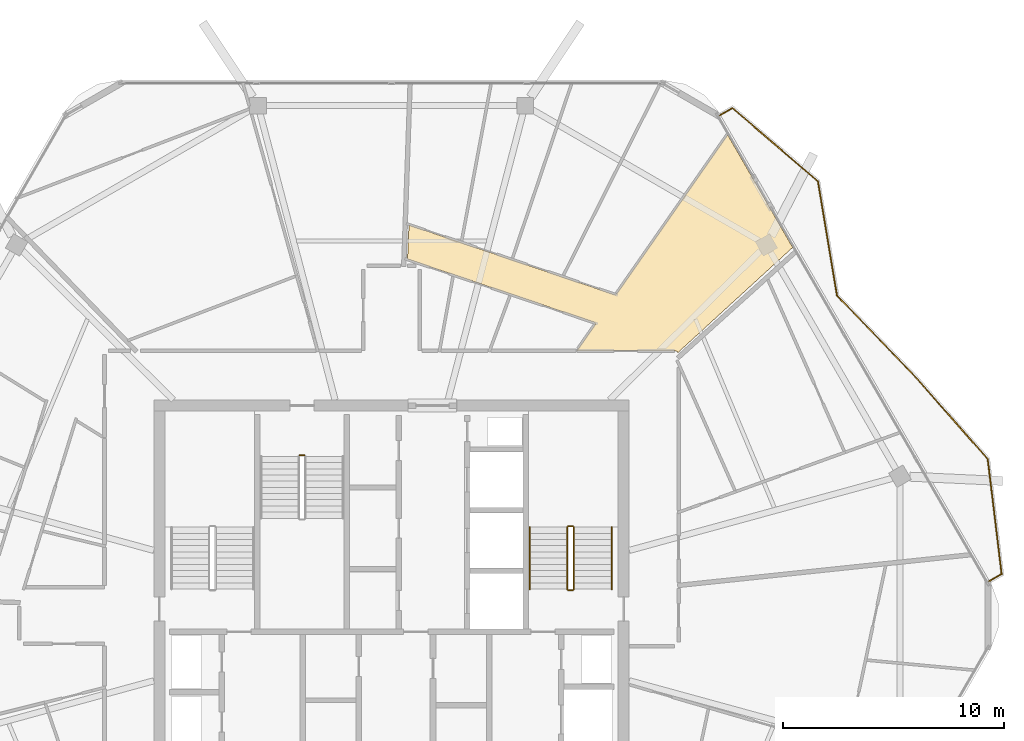
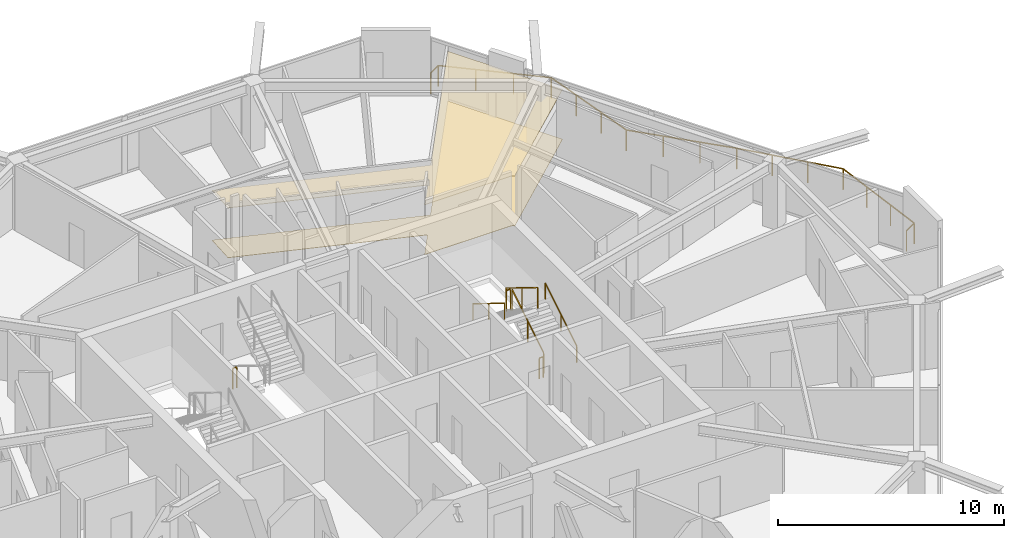
# One storey, part 18 of 18: 8 railings, 2 coverings.
"""IFC4 building model written with IfcOpenShell, lengths in metres."""

from ifc_helpers import new_model, si_unit, direction, frame, origin, origin_2d, place, context, subcontext, project, spatial, polyline, rectangle, outline, extrude, material, layer, layer_set, type_object, element, save


model = new_model("IFC4")

# Units and contexts
model_context = context("Model", 3, precision=1e-05, world=origin(), true_north=direction((0.0, 1.0)))
body_context = subcontext(model_context, "Body", "Model", "MODEL_VIEW")
ifc_project = project(units=[si_unit("LENGTHUNIT", "METRE"), si_unit("AREAUNIT", "SQUARE_METRE"), si_unit("VOLUMEUNIT", "CUBIC_METRE"), si_unit("PLANEANGLEUNIT", "RADIAN"), si_unit("MASSUNIT", "GRAM", prefix="KILO")], contexts=[model_context])

# Site, building, storey
site_placement = place(None, origin())
site = spatial("IfcSite", under=ifc_project, at=site_placement, CompositionType="ELEMENT")
building_placement = place(site_placement, origin())
building = spatial("IfcBuilding", under=site, at=building_placement, Name="Zuhravey Tower", CompositionType="ELEMENT")
storey_placement = place(building_placement, frame((0.0, 0.0, 342.39990234375)))
storey = spatial("IfcBuildingStorey", under=building, at=storey_placement, Name="L87", CompositionType="ELEMENT", Elevation=342.39990234375)

# Coverings
ifc_material_1 = material(Name="Mineral-fibre acoustic ceiling tile")
ifc_layer_1 = layer(ifc_material_1, 0.02490234375)
ifc_layer_set_1 = layer_set([ifc_layer_1], Name="Mineral-fibre acoustic ceiling tile")
covering_type_1 = type_object("IfcCoveringType", Name="Acoustic Suspended Ceiling", PredefinedType="CEILING", material=ifc_layer_set_1)
covering_1_placement = place(storey_placement, frame((0.0, 0.0, 2.690185546875)))
element("IfcCovering", 1, at=covering_1_placement, inside=storey, type_object=covering_type_1, Name="L87 Acoustic Suspended Ceiling CLG1", PredefinedType="CEILING", context=body_context, shape_type="SweptSolid", body=[
    extrude(outline(polyline([(36.791015625, 49.661376953125), (46.1025390625, 46.509521484375), (46.117919921875, 46.507080078125), (46.1328125, 46.509033203125), (46.1484375, 46.51708984375), (46.159423828125, 46.5283203125), (51.196044921875, 53.748046875), (54.139892578125, 48.649169921875), (48.952392578125, 43.895751953125), (48.925537109375, 43.928955078125), (48.885986328125, 43.9580078125), (48.849853515625, 43.972900390625), (48.7998046875, 43.97998046875), (44.381591796875, 43.97998046875), (45.21875, 45.1796875), (45.22607421875, 45.197509765625), (45.2265625, 45.215087890625), (45.219970703125, 45.2333984375), (45.206787109375, 45.247802734375), (45.193115234375, 45.2548828125), (36.723876953125, 48.12158203125), (36.791015625, 49.661376953125)])), origin(), (0.0, 0.0, 1.0), 0.02490234375),
])
ifc_material_2 = material(Name="Porcelain tile finish")
ifc_layer_2 = layer(ifc_material_2, 0.02001953125)
ifc_layer_set_2 = layer_set([ifc_layer_2], Name="Porcelain tile finish")
covering_type_2 = type_object("IfcCoveringType", Name="Apartment Ondol Porcelain Flooring", PredefinedType="FLOORING", material=ifc_layer_set_2)
covering_2_placement = place(storey_placement, origin())
element("IfcCovering", 2, at=covering_2_placement, inside=storey, type_object=covering_type_2, Name="L87 Principal Room Acoustic Flooring", PredefinedType="FLOORING", context=body_context, shape_type="SweptSolid", body=[
    extrude(outline(polyline([(36.791015625, 49.661376953125), (46.1025390625, 46.509521484375), (46.117919921875, 46.507080078125), (46.1328125, 46.509033203125), (46.1484375, 46.51708984375), (46.159423828125, 46.5283203125), (51.196044921875, 53.748046875), (54.139892578125, 48.649169921875), (48.952392578125, 43.895751953125), (48.925537109375, 43.928955078125), (48.885986328125, 43.9580078125), (48.849853515625, 43.972900390625), (48.7998046875, 43.97998046875), (44.381591796875, 43.97998046875), (45.21875, 45.1796875), (45.22607421875, 45.197509765625), (45.2265625, 45.215087890625), (45.219970703125, 45.2333984375), (45.206787109375, 45.247802734375), (45.193115234375, 45.2548828125), (36.723876953125, 48.12158203125), (36.791015625, 49.661376953125)])), origin(), (0.0, 0.0, 1.0), 0.02001953125),
])

# Railings
ifc_material_3 = material(Name="Stainless steel 316 and laminated glass", Category="steel")
railing_type_1 = type_object("IfcRailingType", Name="Balcony & Terrace Guardrail 1150", PredefinedType="BALUSTRADE", material=ifc_material_3)
railing_1_placement = place(storey_placement, frame((50.83837890625, 54.617431640625, 0.0)))
element("IfcRailing", 3, at=railing_1_placement, inside=storey, type_object=railing_type_1, Name="L87 Face 1 Wave Balcony Guardrail GR1", PredefinedType="BALUSTRADE", context=body_context, shape_type="SweptSolid", body=[
    extrude(rectangle(XDim=0.048095703125, YDim=0.048095703125, at=origin_2d()), frame((0.001708984375, 0.0009765625, 1.1259765625), z_axis=(0.865875610315, 0.500259360194, 0.0), x_axis=(-0.500259360194, 0.865875610315, 0.0)), (0.0, 0.0, 1.0), 0.6650390625),
    extrude(rectangle(XDim=0.048095703125, YDim=0.048095703125, at=origin_2d()), frame((0.580810546875, 0.33349609375, 1.1259765625), z_axis=(0.758830196933, -0.651288516882, 0.0), x_axis=(0.651288516882, 0.758830196933, 0.0)), (0.0, 0.0, 1.0), 5.09033203125),
    extrude(rectangle(XDim=0.048095703125, YDim=0.048095703125, at=origin_2d()), frame((4.4453125, -2.985107421875, 1.1259765625), z_axis=(0.164588060197, -0.986362393059, 0.0), x_axis=(0.986362393059, 0.164588060197, 0.0)), (0.0, 0.0, 1.0), 5.230712890625),
    extrude(rectangle(XDim=0.048095703125, YDim=0.048095703125, at=origin_2d()), frame((5.30810546875, -8.14794921875, 1.1259765625), z_axis=(0.694000505322, -0.719974512474, 0.0), x_axis=(0.719974512474, 0.694000505322, 0.0)), (0.0, 0.0, 1.0), 5.0810546875),
    extrude(rectangle(XDim=0.048095703125, YDim=0.048095703125, at=origin_2d()), frame((8.8369140625, -11.80908203125, 1.1259765625), z_axis=(0.660986441108, -0.750397844261, 0.0), x_axis=(0.750397844261, 0.660986441108, 0.0)), (0.0, 0.0, 1.0), 4.96826171875),
    extrude(rectangle(XDim=0.048095703125, YDim=0.048095703125, at=origin_2d()), frame((12.12255859375, -15.540771484375, 1.1259765625), z_axis=(0.120161543709, -0.992754351999, 0.0), x_axis=(0.992754351999, 0.120161543709, 0.0)), (0.0, 0.0, 1.0), 5.23388671875),
    extrude(rectangle(XDim=0.048095703125, YDim=0.048095703125, at=origin_2d()), frame((12.75, -20.73974609375, 1.1259765625), z_axis=(-0.865847636097, -0.500307776339, 0.0), x_axis=(0.500307776339, -0.865847636097, 0.0)), (0.0, 0.0, 1.0), 0.669921875),
    extrude(rectangle(XDim=0.0419921875, YDim=0.0419921875, at=origin_2d()), origin(), (0.0, 0.0, 1.0), 1.099853515625),
    extrude(rectangle(XDim=0.0419921875, YDim=0.0419921875, at=origin_2d()), frame((0.579345703125, 0.334716796875, 0.0)), (0.0, 0.0, 1.0), 1.099853515625),
    extrude(rectangle(XDim=0.0419921875, YDim=0.0419921875, at=origin_2d()), frame((1.867919921875, -0.771240234375, 0.0)), (0.0, 0.0, 1.0), 1.099853515625),
    extrude(rectangle(XDim=0.0419921875, YDim=0.0419921875, at=origin_2d()), frame((3.156494140625, -1.877197265625, 0.0)), (0.0, 0.0, 1.0), 1.099853515625),
    extrude(rectangle(XDim=0.0419921875, YDim=0.0419921875, at=origin_2d()), frame((4.445068359375, -2.983154296875, 0.0)), (0.0, 0.0, 1.0), 1.099853515625),
    extrude(rectangle(XDim=0.0419921875, YDim=0.0419921875, at=origin_2d()), frame((4.732177734375, -4.704345703125, 0.0)), (0.0, 0.0, 1.0), 1.099853515625),
    extrude(rectangle(XDim=0.0419921875, YDim=0.0419921875, at=origin_2d()), frame((5.01953125, -6.42529296875, 0.0)), (0.0, 0.0, 1.0), 1.099853515625),
    extrude(rectangle(XDim=0.0419921875, YDim=0.0419921875, at=origin_2d()), frame((5.306640625, -8.146484375, 0.0)), (0.0, 0.0, 1.0), 1.099853515625),
    extrude(rectangle(XDim=0.0419921875, YDim=0.0419921875, at=origin_2d()), frame((6.48291015625, -9.366943359375, 0.0)), (0.0, 0.0, 1.0), 1.099853515625),
    extrude(rectangle(XDim=0.0419921875, YDim=0.0419921875, at=origin_2d()), frame((7.659423828125, -10.587158203125, 0.0)), (0.0, 0.0, 1.0), 1.099853515625),
    extrude(rectangle(XDim=0.0419921875, YDim=0.0419921875, at=origin_2d()), frame((8.835693359375, -11.8076171875, 0.0)), (0.0, 0.0, 1.0), 1.099853515625),
    extrude(rectangle(XDim=0.0419921875, YDim=0.0419921875, at=origin_2d()), frame((9.93115234375, -13.05126953125, 0.0)), (0.0, 0.0, 1.0), 1.099853515625),
    extrude(rectangle(XDim=0.0419921875, YDim=0.0419921875, at=origin_2d()), frame((11.02685546875, -14.295166015625, 0.0)), (0.0, 0.0, 1.0), 1.099853515625),
    extrude(rectangle(XDim=0.0419921875, YDim=0.0419921875, at=origin_2d()), frame((12.122314453125, -15.538818359375, 0.0)), (0.0, 0.0, 1.0), 1.099853515625),
    extrude(rectangle(XDim=0.0419921875, YDim=0.0419921875, at=origin_2d()), frame((12.33203125, -17.272216796875, 0.0)), (0.0, 0.0, 1.0), 1.099853515625),
    extrude(rectangle(XDim=0.0419921875, YDim=0.0419921875, at=origin_2d()), frame((12.5419921875, -19.00537109375, 0.0)), (0.0, 0.0, 1.0), 1.099853515625),
    extrude(rectangle(XDim=0.0419921875, YDim=0.0419921875, at=origin_2d()), frame((12.751708984375, -20.73876953125, 0.0)), (0.0, 0.0, 1.0), 1.099853515625),
    extrude(rectangle(XDim=0.0419921875, YDim=0.0419921875, at=origin_2d()), frame((12.168212890625, -21.075927734375, 0.0)), (0.0, 0.0, 1.0), 1.099853515625),
])
ifc_material_4 = material(Name="Brushed stainless steel", Category="steel")
railing_type_2 = type_object("IfcRailingType", Name="Stair Wall Handrail 900", PredefinedType="HANDRAIL", material=ifc_material_4)
railing_2_placement = place(storey_placement, frame((45.949951171875, 33.199951171875, 0.1728515625)))
element("IfcRailing", 4, at=railing_2_placement, inside=storey, type_object=railing_type_2, Name="L87 ST2 stair handrail 1", PredefinedType="HANDRAIL", context=body_context, shape_type="SweptSolid", body=[
    extrude(rectangle(XDim=0.048095703125, YDim=0.048095703125, at=origin_2d()), frame((0.0, 0.001708984375, 0.876953125), z_axis=(0.0, 0.851089632645, 0.525020415988), x_axis=(-1.0, 0.0, 0.0)), (0.0, 0.0, 1.0), 3.285888671875),
    extrude(rectangle(XDim=0.0419921875, YDim=0.0419921875, at=origin_2d()), origin(), (0.0, 0.0, 1.0), 0.849853515625),
    extrude(rectangle(XDim=0.0419921875, YDim=0.0419921875, at=origin_2d()), frame((0.0, 1.39990234375, 0.86376953125)), (0.0, 0.0, 1.0), 0.849853515625),
    extrude(rectangle(XDim=0.0419921875, YDim=0.0419921875, at=origin_2d()), frame((0.0, 2.800048828125, 1.727294921875)), (0.0, 0.0, 1.0), 0.849853515625),
])
railing_3_placement = place(storey_placement, frame((42.25, 36.0, 2.07275390625)))
element("IfcRailing", 5, at=railing_3_placement, inside=storey, type_object=railing_type_2, Name="L87 ST2 stair handrail 2", PredefinedType="HANDRAIL", context=body_context, shape_type="SweptSolid", body=[
    extrude(rectangle(XDim=0.048095703125, YDim=0.048095703125, at=origin_2d()), frame((0.0, -0.001708984375, 0.876953125), z_axis=(0.0, -0.851089632645, 0.525020415988), x_axis=(1.0, 0.0, 0.0)), (0.0, 0.0, 1.0), 3.285888671875),
    extrude(rectangle(XDim=0.0419921875, YDim=0.0419921875, at=origin_2d()), origin(), (0.0, 0.0, 1.0), 0.849853515625),
    extrude(rectangle(XDim=0.0419921875, YDim=0.0419921875, at=origin_2d()), frame((0.0, -1.39990234375, 0.86376953125)), (0.0, 0.0, 1.0), 0.849853515625),
    extrude(rectangle(XDim=0.0419921875, YDim=0.0419921875, at=origin_2d()), frame((0.0, -2.800048828125, 1.727294921875)), (0.0, 0.0, 1.0), 0.849853515625),
])
ifc_material_5 = material(Name="Painted tubular steel", Category="steel")
railing_type_3 = type_object("IfcRailingType", Name="Stair Well Guardrail 1150", PredefinedType="GUARDRAIL", material=ifc_material_5)
railing_4_placement = place(storey_placement, frame((44.25, 33.199951171875, 0.1728515625)))
element("IfcRailing", 6, at=railing_4_placement, inside=storey, type_object=railing_type_3, Name="L87 ST2 stair guard 1", PredefinedType="GUARDRAIL", context=body_context, shape_type="SweptSolid", body=[
    extrude(rectangle(XDim=0.048095703125, YDim=0.048095703125, at=origin_2d()), frame((0.0, 0.001708984375, 1.126953125), z_axis=(0.0, 0.851089632645, 0.525020415988), x_axis=(-1.0, 0.0, 0.0)), (0.0, 0.0, 1.0), 3.285888671875),
    extrude(rectangle(XDim=0.0419921875, YDim=0.0419921875, at=origin_2d()), origin(), (0.0, 0.0, 1.0), 1.099853515625),
    extrude(rectangle(XDim=0.0419921875, YDim=0.0419921875, at=origin_2d()), frame((0.0, 1.39990234375, 0.86376953125)), (0.0, 0.0, 1.0), 1.099853515625),
    extrude(rectangle(XDim=0.0419921875, YDim=0.0419921875, at=origin_2d()), frame((0.0, 2.800048828125, 1.727294921875)), (0.0, 0.0, 1.0), 1.099853515625),
])
railing_5_placement = place(storey_placement, frame((44.199951171875, 36.050048828125, 1.900146484375)))
element("IfcRailing", 7, at=railing_5_placement, inside=storey, type_object=railing_type_3, Name="L87 ST2 stair guard 2", PredefinedType="GUARDRAIL", context=body_context, shape_type="SweptSolid", body=[
    extrude(rectangle(XDim=0.048095703125, YDim=0.048095703125, at=origin_2d()), frame((-0.001953125, 0.0, 1.1259765625), z_axis=(-1.0, 0.0, 0.0), x_axis=(0.0, -1.0, 0.0)), (0.0, 0.0, 1.0), 0.196044921875),
    extrude(rectangle(XDim=0.0419921875, YDim=0.0419921875, at=origin_2d()), origin(), (0.0, 0.0, 1.0), 1.099853515625),
    extrude(rectangle(XDim=0.0419921875, YDim=0.0419921875, at=origin_2d()), frame((-0.199951171875, 0.0, 0.0)), (0.0, 0.0, 1.0), 1.099853515625),
])
railing_6_placement = place(storey_placement, frame((43.949951171875, 36.0, 2.07275390625)))
element("IfcRailing", 8, at=railing_6_placement, inside=storey, type_object=railing_type_3, Name="L87 ST2 stair guard 3", PredefinedType="GUARDRAIL", context=body_context, shape_type="SweptSolid", body=[
    extrude(rectangle(XDim=0.048095703125, YDim=0.048095703125, at=origin_2d()), frame((0.0, -0.001708984375, 1.126953125), z_axis=(0.0, -0.851089632645, 0.525020415988), x_axis=(1.0, 0.0, 0.0)), (0.0, 0.0, 1.0), 3.285888671875),
    extrude(rectangle(XDim=0.0419921875, YDim=0.0419921875, at=origin_2d()), origin(), (0.0, 0.0, 1.0), 1.099853515625),
    extrude(rectangle(XDim=0.0419921875, YDim=0.0419921875, at=origin_2d()), frame((0.0, -1.39990234375, 0.86376953125)), (0.0, 0.0, 1.0), 1.099853515625),
    extrude(rectangle(XDim=0.0419921875, YDim=0.0419921875, at=origin_2d()), frame((0.0, -2.800048828125, 1.727294921875)), (0.0, 0.0, 1.0), 1.099853515625),
])
railing_7_placement = place(storey_placement, frame((44.199951171875, 33.14990234375, 0.0)))
element("IfcRailing", 9, at=railing_7_placement, inside=storey, type_object=railing_type_3, Name="L87 ST2 stair guard 4", PredefinedType="GUARDRAIL", context=body_context, shape_type="SweptSolid", body=[
    extrude(rectangle(XDim=0.048095703125, YDim=0.048095703125, at=origin_2d()), frame((-0.001953125, 0.0, 1.1259765625), z_axis=(-1.0, 0.0, 0.0), x_axis=(0.0, -1.0, 0.0)), (0.0, 0.0, 1.0), 0.196044921875),
    extrude(rectangle(XDim=0.0419921875, YDim=0.0419921875, at=origin_2d()), origin(), (0.0, 0.0, 1.0), 1.099853515625),
    extrude(rectangle(XDim=0.0419921875, YDim=0.0419921875, at=origin_2d()), frame((-0.199951171875, 0.0, 0.0)), (0.0, 0.0, 1.0), 1.099853515625),
])
railing_8_placement = place(storey_placement, frame((31.85009765625, 39.25, 0.0)))
element("IfcRailing", 10, at=railing_8_placement, inside=storey, type_object=railing_type_3, Name="L87 ST3 stair guard 4", PredefinedType="GUARDRAIL", context=body_context, shape_type="SweptSolid", body=[
    extrude(rectangle(XDim=0.048095703125, YDim=0.048095703125, at=origin_2d()), frame((0.001953125, 0.0, 1.1259765625), z_axis=(1.0, 0.0, 0.0), x_axis=(0.0, 1.0, 0.0)), (0.0, 0.0, 1.0), 0.196044921875),
    extrude(rectangle(XDim=0.0419921875, YDim=0.0419921875, at=origin_2d()), origin(), (0.0, 0.0, 1.0), 1.099853515625),
    extrude(rectangle(XDim=0.0419921875, YDim=0.0419921875, at=origin_2d()), frame((0.199951171875, 0.0, 0.0)), (0.0, 0.0, 1.0), 1.099853515625),
])

save(model, "model.ifc")
